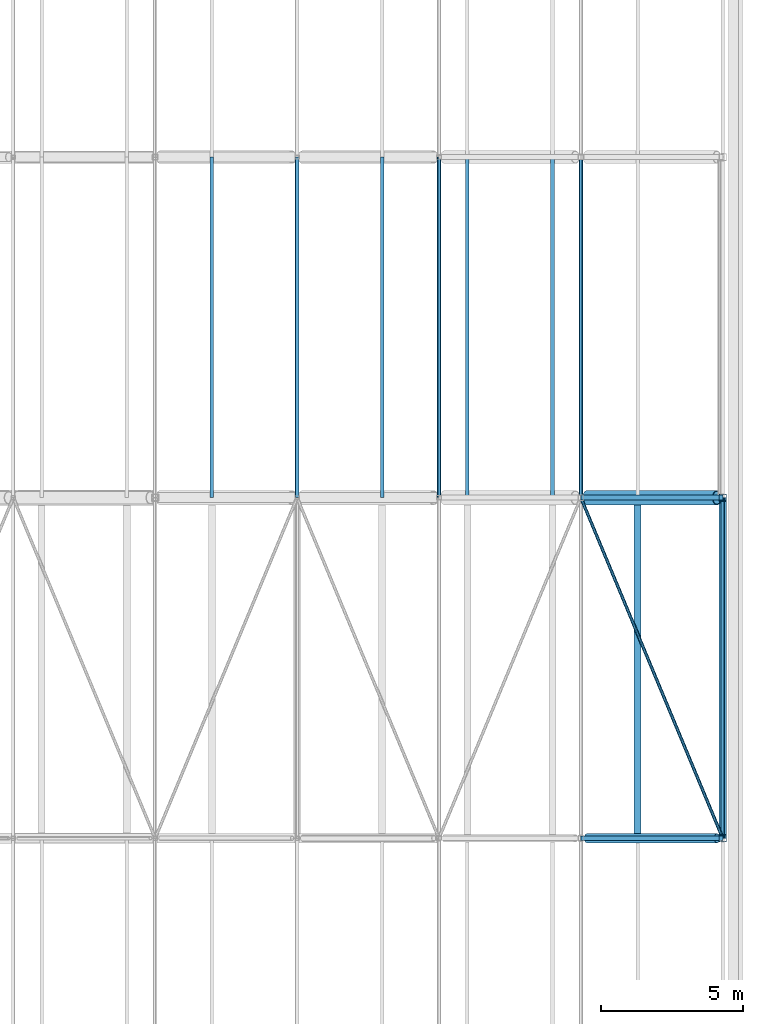
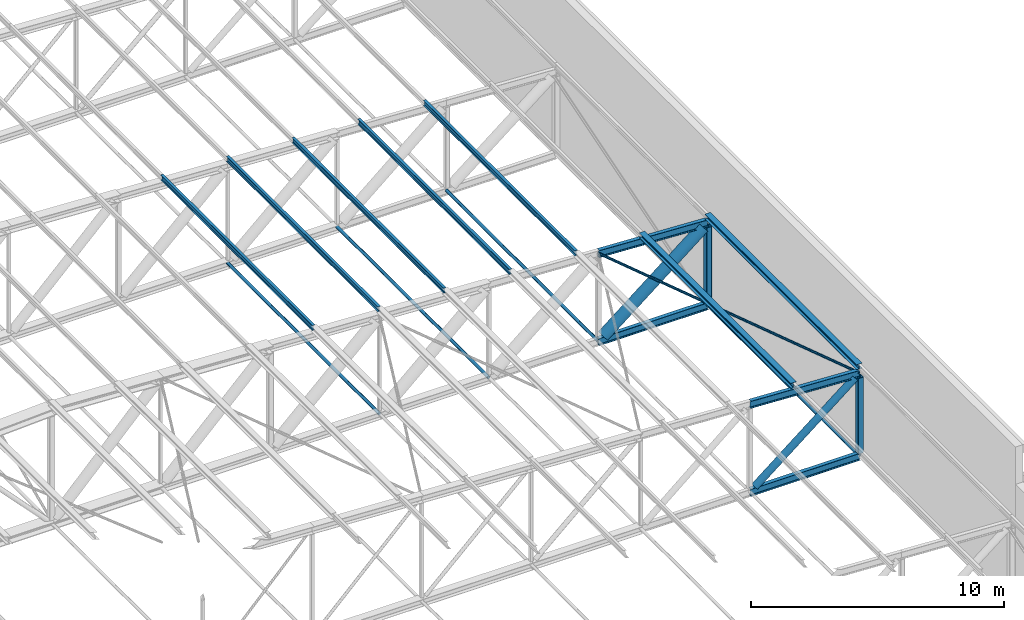
# One storey, part 85 of 156: 20 members.
"""IFC4 building model written with IfcOpenShell, lengths in metres."""

from ifc_helpers import new_model, si_unit, direction, frame, origin, origin_2d, place, context, subcontext, project, spatial, hollow_rectangle, hollow_circle, i_section, extrude, material, material_profile, profile_set, type_object, element, save


model = new_model("IFC4")

# Units and contexts
model_context = context("Model", 3, precision=1e-05, world=origin(), true_north=direction((0.0, 1.0)))
body_context = subcontext(model_context, "Body", "Model", "MODEL_VIEW")
ifc_project = project(units=[si_unit("LENGTHUNIT", "METRE"), si_unit("AREAUNIT", "SQUARE_METRE"), si_unit("VOLUMEUNIT", "CUBIC_METRE"), si_unit("PLANEANGLEUNIT", "RADIAN"), si_unit("MASSUNIT", "GRAM", prefix="KILO")], contexts=[model_context])

# Site, building, storey
site_placement = place(None, origin())
site = spatial("IfcSite", under=ifc_project, at=site_placement, CompositionType="ELEMENT")
building_placement = place(site_placement, origin())
building = spatial("IfcBuilding", under=site, at=building_placement, Name="Lilac Gate Convention Centre", CompositionType="ELEMENT")
storey_placement = place(building_placement, frame((0.0, 0.0, 17.0)))
storey = spatial("IfcBuildingStorey", under=building, at=storey_placement, Name="L03", CompositionType="ELEMENT", Elevation=17.0)

# Members
ifc_material = material(Name="Steel Q355B", Category="steel")
ifc_material_profile_1 = material_profile(ifc_material, hollow_circle(Radius=0.06982421875, WallThickness=0.0048828125, at=origin_2d()), Name="CHS139.7x5")
ifc_profile_set_1 = profile_set([ifc_material_profile_1], Name="Steel Q355B")
member_type_1 = type_object("IfcMemberType", Name="Bottom chord tie CHS139.7x5", PredefinedType="STRUT", material=ifc_profile_set_1)
member_1_placement = place(storey_placement, frame((90.0, 126.00341796875, 0.0), z_axis=(0.0, 1.0, 0.0), x_axis=(-1.0, 0.0, 0.0)))
element("IfcMember", 1, at=member_1_placement, inside=storey, type_object=member_type_1, Name="ST1 tie bay 9 node 13", PredefinedType="STRUT", context=body_context, shape_type="SweptSolid", body=[
    extrude(hollow_circle(Radius=0.06982421875, WallThickness=0.0048828125, at=origin_2d()), origin(), (0.0, 0.0, 1.0), 11.9931640625),
])
member_2_placement = place(storey_placement, frame((75.0, 138.006103515625, 0.0), z_axis=(0.0, 1.0, 0.0), x_axis=(-1.0, 0.0, 0.0)))
element("IfcMember", 2, at=member_2_placement, inside=storey, type_object=member_type_1, Name="ST1 tie bay 10 node 10", PredefinedType="STRUT", context=body_context, shape_type="SweptSolid", body=[
    extrude(hollow_circle(Radius=0.06982421875, WallThickness=0.0048828125, at=origin_2d()), origin(), (0.0, 0.0, 1.0), 11.98779296875),
])
for number, where, z_axis, x_axis, name in (
    (3, (80.0, 138.00341796875, 0.0), (0.0, 1.0, 0.0), (-1.0, 0.0, 0.0), "ST1 tie bay 10 node 11"),
    (4, (85.0, 138.00341796875, 0.0), (0.0, 1.0, 0.0), (-1.0, 0.0, 0.0), "ST1 tie bay 10 node 12"),
):
    element("IfcMember", number, at=place(storey_placement, frame(where, z_axis=z_axis, x_axis=x_axis)), inside=storey, type_object=member_type_1, Name=name, PredefinedType="STRUT", context=body_context, shape_type="SweptSolid", body=[
        extrude(hollow_circle(Radius=0.06982421875, WallThickness=0.0048828125, at=origin_2d()), origin(), (0.0, 0.0, 1.0), 11.9931640625),
    ])
ifc_material_profile_2 = material_profile(ifc_material, hollow_circle(Radius=0.05712890625, WallThickness=0.0048828125, at=origin_2d()), Name="CHS114.3x5")
ifc_profile_set_2 = profile_set([ifc_material_profile_2], Name="Steel Q355B")
member_type_2 = type_object("IfcMemberType", Name="Roof plane bracing CHS114.3x5", PredefinedType="BRACE", material=ifc_profile_set_2)
member_3_placement = place(storey_placement, frame((85.00146484375, 137.99658203125, 4.25), z_axis=(0.384538867181, -0.922908311091, -0.019238215751), x_axis=(0.923079146825, 0.384610047578, 0.0)))
element("IfcMember", 5, at=member_3_placement, inside=storey, type_object=member_type_2, Name="BR1 plan bracing bay 9 panel 12", PredefinedType="BRACE", context=body_context, shape_type="SweptSolid", body=[
    extrude(hollow_circle(Radius=0.05712890625, WallThickness=0.0048828125, at=origin_2d()), origin(), (0.0, 0.0, 1.0), 12.994873046875),
])
ifc_material_profile_3 = material_profile(ifc_material, i_section(OverallWidth=0.125, OverallDepth=0.25, WebThickness=0.006103515625, FlangeThickness=0.009033203125, FilletRadius=0.008056640625, at=origin_2d()), Name="HN250x125x6x9")
ifc_profile_set_3 = profile_set([ifc_material_profile_3], Name="Steel Q355B")
member_type_3 = type_object("IfcMemberType", Name="Roof purlin HN250x125x6x9", PredefinedType="PURLIN", material=ifc_profile_set_3)
for number, where, z_axis, x_axis, name in (
    (6, (72.0, 138.0, 5.2001953125), (0.0, 1.0, 0.0), (-1.0, 0.0, 0.0), "PU2 purlin bay 10 line 15"),
    (7, (75.0, 138.0, 5.05029296875), (0.0, 1.0, 0.0), (-1.0, 0.0, 0.0), "PU2 purlin bay 10 line 16"),
    (8, (78.0, 138.0, 4.900146484375), (0.0, 1.0, 0.0), (-1.0, 0.0, 0.0), "PU2 purlin bay 10 line 17"),
    (9, (81.0, 138.0, 4.750244140625), (0.0, 1.0, 0.0), (-1.0, 0.0, 0.0), "PU2 purlin bay 10 line 18"),
    (10, (84.0, 138.0, 4.60009765625), (0.0, 1.0, 0.0), (-1.0, 0.0, 0.0), "PU2 purlin bay 10 line 19"),
):
    element("IfcMember", number, at=place(storey_placement, frame(where, z_axis=z_axis, x_axis=x_axis)), inside=storey, type_object=member_type_3, Name=name, PredefinedType="PURLIN", context=body_context, shape_type="SweptSolid", body=[
        extrude(i_section(OverallWidth=0.125, OverallDepth=0.25, WebThickness=0.006103515625, FlangeThickness=0.009033203125, FilletRadius=0.008056640625, at=origin_2d()), origin(), (0.0, 0.0, 1.0), 12.0),
    ])
ifc_material_profile_4 = material_profile(ifc_material, i_section(OverallWidth=0.25, OverallDepth=0.25, WebThickness=0.009033203125, FlangeThickness=0.013916015625, FilletRadius=0.012939453125, at=origin_2d()), Name="HW250x250x9x14")
ifc_profile_set_4 = profile_set([ifc_material_profile_4], Name="Steel Q355B")
member_type_4 = type_object("IfcMemberType", Name="Roof purlin HW250x250x9x14", PredefinedType="PURLIN", material=ifc_profile_set_4)
for number, where, z_axis, x_axis, name in (
    (11, (87.0, 126.0, 4.4501953125), (0.0, 1.0, 0.0), (-1.0, 0.0, 0.0), "PU1 purlin bay 9 line 20"),
    (12, (90.0, 126.0, 4.30029296875), (0.0, 1.0, 0.0), (-1.0, 0.0, 0.0), "PU1 purlin bay 9 line 21"),
):
    element("IfcMember", number, at=place(storey_placement, frame(where, z_axis=z_axis, x_axis=x_axis)), inside=storey, type_object=member_type_4, Name=name, PredefinedType="PURLIN", context=body_context, shape_type="SweptSolid", body=[
        extrude(i_section(OverallWidth=0.25, OverallDepth=0.25, WebThickness=0.009033203125, FlangeThickness=0.013916015625, FilletRadius=0.012939453125, at=origin_2d()), origin(), (0.0, 0.0, 1.0), 12.0),
    ])
ifc_material_profile_5 = material_profile(ifc_material, i_section(OverallWidth=0.175048828125, OverallDepth=0.35009765625, WebThickness=0.007080078125, FlangeThickness=0.010986328125, FilletRadius=0.012939453125, at=origin_2d()), Name="HN350x175x7x11")
ifc_profile_set_5 = profile_set([ifc_material_profile_5], Name="Steel Q355B")
member_type_5 = type_object("IfcMemberType", Name="Truss bottom chord HN350x175x7x11", PredefinedType="CHORD", material=ifc_profile_set_5)
for number, where, z_axis, x_axis, name in (
    (13, (85.0, 126.0, 0.0), (1.0, 0.0, 0.0), (0.0, 1.0, 0.0), "TB1 truss 9 bottom chord 12"),
    (14, (85.0, 138.0, 0.0), (1.0, 0.0, 0.0), (0.0, 1.0, 0.0), "TB1 truss 10 bottom chord 12"),
):
    element("IfcMember", number, at=place(storey_placement, frame(where, z_axis=z_axis, x_axis=x_axis)), inside=storey, type_object=member_type_5, Name=name, PredefinedType="CHORD", context=body_context, shape_type="SweptSolid", body=[
        extrude(i_section(OverallWidth=0.175048828125, OverallDepth=0.35009765625, WebThickness=0.007080078125, FlangeThickness=0.010986328125, FilletRadius=0.012939453125, at=origin_2d()), origin(), (0.0, 0.0, 1.0), 5.0),
    ])
ifc_material_profile_6 = material_profile(ifc_material, hollow_circle(Radius=0.161865234375, WallThickness=0.011962890625, at=origin_2d()), Name="CHS323.9x12")
ifc_profile_set_6 = profile_set([ifc_material_profile_6], Name="Steel Q355B")
member_type_6 = type_object("IfcMemberType", Name="Truss diagonal CHS323.9x12", PredefinedType="BRACE", material=ifc_profile_set_6)
member_4_placement = place(storey_placement, frame((89.794677734375, 126.0, 3.835693359375), z_axis=(-0.780876938611, 0.0, -0.624684885959), x_axis=(0.0, -1.0, 0.0)))
element("IfcMember", 15, at=member_4_placement, inside=storey, type_object=member_type_6, Name="TW1 truss 9 diagonal 12", PredefinedType="BRACE", context=body_context, shape_type="SweptSolid", body=[
    extrude(hollow_circle(Radius=0.161865234375, WallThickness=0.011962890625, at=origin_2d()), origin(), (0.0, 0.0, 1.0), 5.860107421875),
])
ifc_material_profile_7 = material_profile(ifc_material, hollow_circle(Radius=0.25390625, WallThickness=0.030029296875, at=origin_2d()), Name="CHS508x30")
ifc_profile_set_7 = profile_set([ifc_material_profile_7], Name="Steel Q355B")
member_type_7 = type_object("IfcMemberType", Name="Truss diagonal CHS508x30", PredefinedType="BRACE", material=ifc_profile_set_7)
member_5_placement = place(storey_placement, frame((89.794677734375, 138.0, 3.835693359375), z_axis=(-0.780876938611, 0.0, -0.624684885959), x_axis=(0.0, -1.0, 0.0)))
element("IfcMember", 16, at=member_5_placement, inside=storey, type_object=member_type_7, Name="TW10 truss 10 diagonal 12", PredefinedType="BRACE", context=body_context, shape_type="SweptSolid", body=[
    extrude(hollow_circle(Radius=0.25390625, WallThickness=0.030029296875, at=origin_2d()), origin(), (0.0, 0.0, 1.0), 5.860107421875),
])
ifc_material_profile_8 = material_profile(ifc_material, i_section(OverallWidth=0.175048828125, OverallDepth=0.35009765625, WebThickness=0.007080078125, FlangeThickness=0.010986328125, FilletRadius=0.012939453125, at=origin_2d()), Name="HN350x175x7x11")
ifc_profile_set_8 = profile_set([ifc_material_profile_8], Name="Steel Q355B")
member_type_8 = type_object("IfcMemberType", Name="Truss top chord HN350x175x7x11", PredefinedType="CHORD", material=ifc_profile_set_8)
for number, where, z_axis, x_axis, name in (
    (17, (85.0, 126.0, 4.25), (0.998752338878, 0.0, -0.049937616944), (0.0, 1.0, 0.0), "TT1 truss 9 top chord 12"),
    (18, (85.0, 138.0, 4.25), (0.998752338878, 0.0, -0.049937616944), (0.0, 1.0, 0.0), "TT1 truss 10 top chord 12"),
):
    element("IfcMember", number, at=place(storey_placement, frame(where, z_axis=z_axis, x_axis=x_axis)), inside=storey, type_object=member_type_8, Name=name, PredefinedType="CHORD", context=body_context, shape_type="SweptSolid", body=[
        extrude(i_section(OverallWidth=0.175048828125, OverallDepth=0.35009765625, WebThickness=0.007080078125, FlangeThickness=0.010986328125, FilletRadius=0.012939453125, at=origin_2d()), origin(), (0.0, 0.0, 1.0), 5.00634765625),
    ])
ifc_material_profile_9 = material_profile(ifc_material, hollow_rectangle(XDim=0.25, YDim=0.25, WallThickness=0.010009765625, InnerFilletRadius=0.014892578125, OuterFilletRadius=0.02490234375, at=origin_2d()), Name="SHS250x250x10")
ifc_profile_set_9 = profile_set([ifc_material_profile_9], Name="Steel Q355B")
member_type_9 = type_object("IfcMemberType", Name="Truss vertical SHS250x250x10", PredefinedType="STRUT", material=ifc_profile_set_9)
for number, where, z_axis, x_axis, name in (
    (19, (90.0, 126.0, 0.175048828125), (0.0, 0.0, 1.0), (1.0, 0.0, 0.0), "TV1 truss 9 vertical 13"),
    (20, (90.0, 138.0, 0.175048828125), (0.0, 0.0, 1.0), (1.0, 0.0, 0.0), "TV1 truss 10 vertical 13"),
):
    element("IfcMember", number, at=place(storey_placement, frame(where, z_axis=z_axis, x_axis=x_axis)), inside=storey, type_object=member_type_9, Name=name, PredefinedType="STRUT", context=body_context, shape_type="SweptSolid", body=[
        extrude(hollow_rectangle(XDim=0.25, YDim=0.25, WallThickness=0.010009765625, InnerFilletRadius=0.014892578125, OuterFilletRadius=0.02490234375, at=origin_2d()), origin(), (0.0, 0.0, 1.0), 3.649658203125),
    ])

save(model, "model.ifc")
